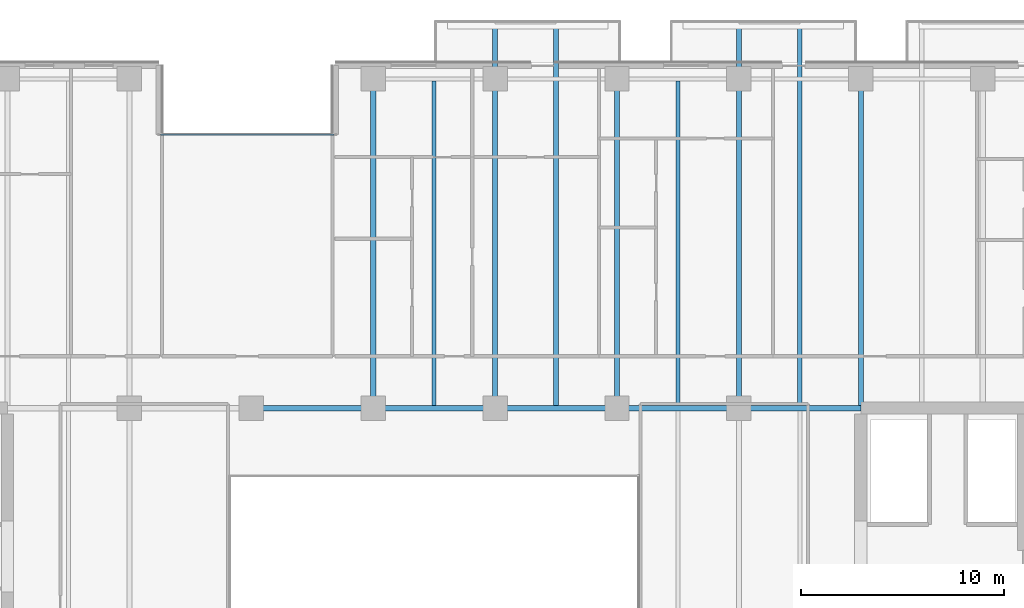
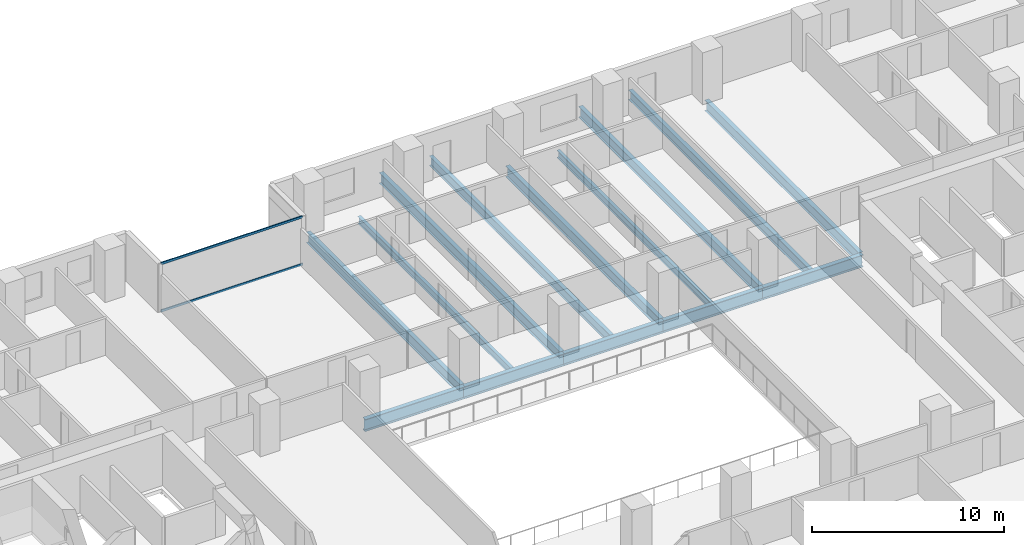
# One storey, part 10 of 33: 14 beams, 2 members, 1 element without a shape of its own.
"""IFC4 building model written with IfcOpenShell, lengths in metres."""

import ifcopenshell
import ifcopenshell.guid

model = None  # the IFC model being written
_history = None  # IfcOwnerHistory: only IFC2X3 demands one
_inside = {}  # id of a spatial element -> (the spatial element, [elements in it])
_under = {}  # id of a project, library or spatial element -> (it, [spatial elements below it])
_declared = {}  # id of a project -> (the project, [libraries it declares])
_typed = {}  # id of a type object -> (the type object, [elements of that type])
_made_of = {}  # id of a material, layer set ... -> (it, [elements and type objects made of it])


def new_model(schema):
    """Start an empty IFC model of exactly this schema.

    Asked for "IFC4X3", IfcOpenShell would pick the latest addendum, in which some entities
    have other attributes; the version numbers below select the first issue.
    IFC2X3 requires an IfcOwnerHistory on every rooted entity: one is made here for all.
    """
    global model, _history
    if schema == "IFC4X3":
        model = ifcopenshell.file(schema_version=(4, 3, 0, 0))
    else:
        model = ifcopenshell.file(schema=schema)
    _inside.clear()
    _under.clear()
    _declared.clear()
    _typed.clear()
    _made_of.clear()
    _history = None
    if model.schema == "IFC2X3":
        org = make("IfcOrganization", Name="unknown")
        user = make(
            "IfcPersonAndOrganization",
            ThePerson=make("IfcPerson", FamilyName="unknown"),
            TheOrganization=org,
        )
        app = make(
            "IfcApplication",
            ApplicationDeveloper=org,
            Version="unknown",
            ApplicationFullName="unknown",
            ApplicationIdentifier="unknown",
        )
        _history = make(
            "IfcOwnerHistory",
            OwningUser=user,
            OwningApplication=app,
            ChangeAction="ADDED",
            CreationDate=0,
        )
    return model


def make(cls, **values):
    """One entity of the class cls with the attributes given. An attribute that is None is left unset."""
    return model.create_entity(
        cls, **{name: value for name, value in values.items() if value is not None}
    )


def rooted(cls, **values):
    """An entity with a GlobalId (a new one), such as an element, a storey or a relation."""
    return make(cls, GlobalId=ifcopenshell.guid.new(), OwnerHistory=_history, **values)


def si_unit(unit_type, name, prefix=None):
    """IfcSIUnit, for example si_unit("LENGTHUNIT", "METRE", prefix="MILLI")."""
    return make("IfcSIUnit", UnitType=unit_type, Prefix=prefix, Name=name)


def assignment(units):
    """IfcUnitAssignment: the units of a project."""
    return None if units is None else make("IfcUnitAssignment", Units=units)


def point(xyz):
    """IfcCartesianPoint."""
    return None if xyz is None else make("IfcCartesianPoint", Coordinates=xyz)


def direction(xyz):
    """IfcDirection."""
    return None if xyz is None else make("IfcDirection", DirectionRatios=xyz)


def frame(location, z_axis=None, x_axis=None):
    """IfcAxis2Placement3D, a coordinate frame: its origin and axes. An axis left out is left unset."""
    return make(
        "IfcAxis2Placement3D",
        Location=point(location),
        Axis=direction(z_axis),
        RefDirection=direction(x_axis),
    )


def frame_2d(location, x_axis=None):
    """IfcAxis2Placement2D, a coordinate frame in the plane: its origin and x axis."""
    return make(
        "IfcAxis2Placement2D", Location=point(location), RefDirection=direction(x_axis)
    )


def origin():
    """The frame at (0, 0, 0) with its axes left unset."""
    return frame((0.0, 0.0, 0.0))


def origin_2d():
    """The frame at (0, 0) in the plane with its x axis left unset."""
    return frame_2d((0.0, 0.0))


def place(relative_to, where):
    """IfcLocalPlacement: puts the frame where relative to a parent placement (None: the world)."""
    return make(
        "IfcLocalPlacement", PlacementRelTo=relative_to, RelativePlacement=where
    )


def context(
    kind, dimensions, precision=None, world=None, true_north=None, identifier=None
):
    """IfcGeometricRepresentationContext, for example the 3D "Model" context."""
    return make(
        "IfcGeometricRepresentationContext",
        ContextIdentifier=identifier,
        ContextType=kind,
        CoordinateSpaceDimension=dimensions,
        Precision=precision,
        WorldCoordinateSystem=world,
        TrueNorth=true_north,
    )


def subcontext(parent, identifier, kind, view, scale=None):
    """IfcGeometricRepresentationSubContext, for example "Body" below "Model"."""
    return make(
        "IfcGeometricRepresentationSubContext",
        ContextIdentifier=identifier,
        ContextType=kind,
        ParentContext=parent,
        TargetScale=scale,
        TargetView=view,
    )


def project(units=None, contexts=None):
    """IfcProject with its units and contexts."""
    return rooted(
        "IfcProject",
        Name="project",
        RepresentationContexts=contexts,
        UnitsInContext=assignment(units),
    )


def spatial(cls, under=None, at=None, **own):
    """A site, building, storey or space (cls), placed at a placement, below another one or the project."""
    s = rooted(cls, ObjectPlacement=at, **own)
    if under is not None:
        _under.setdefault(under.id(), (under, []))[1].append(s)
    return s


def profile(cls, at=None, kind="AREA", **sizes):
    """A parametric profile (cls). Its sizes go by their IFC names, for example OverallWidth=200.0."""
    return make(cls, ProfileType=kind, Position=at, **sizes)


def hollow_rectangle(**sizes):
    """IfcRectangleHollowProfileDef."""
    return profile("IfcRectangleHollowProfileDef", **sizes)


def i_section(**sizes):
    """IfcIShapeProfileDef."""
    return profile("IfcIShapeProfileDef", **sizes)


def extrude(swept, where, along, depth):
    """IfcExtrudedAreaSolid: the profile swept, set in the frame where, extruded along a direction by depth."""
    return make(
        "IfcExtrudedAreaSolid",
        SweptArea=swept,
        Position=where,
        ExtrudedDirection=direction(along),
        Depth=depth,
    )


def shape(context_of_items, identifier, shape_type, items):
    """IfcShapeRepresentation: the items that make up one representation, for example the "Body"."""
    return make(
        "IfcShapeRepresentation",
        ContextOfItems=context_of_items,
        RepresentationIdentifier=identifier,
        RepresentationType=shape_type,
        Items=items,
    )


def material(Name=None, Category=None):
    """IfcMaterial."""
    return make("IfcMaterial", Name=Name, Category=Category)


def layer(
    of_material, thickness, ventilated=None, Name=None, Category=None, Priority=None
):
    """IfcMaterialLayer: one layer of a wall or slab, of a material (None: an air gap)."""
    return make(
        "IfcMaterialLayer",
        Material=of_material,
        LayerThickness=thickness,
        IsVentilated=ventilated,
        Name=Name,
        Category=Category,
        Priority=Priority,
    )


def layer_set(layers, Name=None):
    """IfcMaterialLayerSet."""
    return make("IfcMaterialLayerSet", MaterialLayers=layers, LayerSetName=Name)


def material_profile(
    of_material, cross_section, Name=None, Category=None, Priority=None
):
    """IfcMaterialProfile: a cross section and its material."""
    return make(
        "IfcMaterialProfile",
        Name=Name,
        Material=of_material,
        Profile=cross_section,
        Priority=Priority,
        Category=Category,
    )


def profile_set(profiles, Name=None, composite=None):
    """IfcMaterialProfileSet."""
    return make(
        "IfcMaterialProfileSet",
        Name=Name,
        MaterialProfiles=profiles,
        CompositeProfile=composite,
    )


def made_of(thing, what):
    """Note that an element or type object is made of a material, layer set ...; save() writes the relation."""
    if what is not None:
        _made_of.setdefault(what.id(), (what, []))[1].append(thing)
    return thing


def type_object(cls, material=None, **own):
    """A type object (cls), such as IfcWallType, which elements share."""
    return made_of(rooted(cls, **own), material)


def element(
    cls,
    number,
    at=None,
    inside=None,
    cuts=None,
    type_object=None,
    material=None,
    context=None,
    identifier="Body",
    shape_type=None,
    held_by="IfcProductDefinitionShape",
    body=None,
    shapes=None,
    **own,
):
    """One element of the class cls, such as IfcWall. Its Tag is "e" and its number.

    at: its placement. inside: the storey or other place that contains it. cuts: it is an
    opening in that element (IfcRelVoidsElement). A single representation is given by context,
    identifier, shape_type and body (its items); several are given by shapes. held_by: the class
    of the entity that holds the representations. save() writes the other relations.
    """
    e = rooted(cls, Tag="e%d" % number, ObjectPlacement=at, **own)
    if body is not None:
        shapes = [shape(context, identifier, shape_type, body)]
    if shapes is not None:
        e.Representation = make(held_by, Representations=shapes)
    if inside is not None:
        _inside.setdefault(inside.id(), (inside, []))[1].append(e)
    if cuts is not None:
        rooted(
            "IfcRelVoidsElement", RelatingBuildingElement=cuts, RelatedOpeningElement=e
        )
    if type_object is not None:
        _typed.setdefault(type_object.id(), (type_object, []))[1].append(e)
    return made_of(e, material)


def aggregate(whole, parts):
    """IfcRelAggregates: a whole, such as a stair, and the parts it consists of."""
    return rooted("IfcRelAggregates", RelatingObject=whole, RelatedObjects=parts)


def save(model, path):
    """Write the relations noted so far, then the file.

    IfcRelAggregates (storeys below a building ...), IfcRelContainedInSpatialStructure (elements
    in a storey), IfcRelDefinesByType, IfcRelAssociatesMaterial and IfcRelDeclares: one each for
    every whole, place, type object, material and project.
    """
    for whole, parts in _under.values():
        aggregate(whole, parts)
    for where, things in _inside.values():
        rooted(
            "IfcRelContainedInSpatialStructure",
            RelatedElements=things,
            RelatingStructure=where,
        )
    for kind, things in _typed.values():
        rooted("IfcRelDefinesByType", RelatedObjects=things, RelatingType=kind)
    for what, things in _made_of.values():
        rooted("IfcRelAssociatesMaterial", RelatedObjects=things, RelatingMaterial=what)
    for by, libraries in _declared.values():
        rooted("IfcRelDeclares", RelatingContext=by, RelatedDefinitions=libraries)
    model.write(path)


model = new_model("IFC4")

# Units and contexts
model_context = context("Model", 3, precision=1e-05, world=origin(), true_north=direction((0.0, 1.0)))
body_context = subcontext(model_context, "Body", "Model", "MODEL_VIEW")
ifc_project = project(units=[si_unit("LENGTHUNIT", "METRE"), si_unit("AREAUNIT", "SQUARE_METRE"), si_unit("VOLUMEUNIT", "CUBIC_METRE"), si_unit("PLANEANGLEUNIT", "RADIAN"), si_unit("MASSUNIT", "GRAM", prefix="KILO")], contexts=[model_context])

# Site, building, storey
site_placement = place(None, origin())
site = spatial("IfcSite", under=ifc_project, at=site_placement, CompositionType="ELEMENT")
building_placement = place(site_placement, origin())
building = spatial("IfcBuilding", under=site, at=building_placement, Name="Tanjung Sevakor Pilgrim Tower", CompositionType="ELEMENT")
storey_placement = place(building_placement, frame((0.0, 0.0, 38.93994140625)))
storey = spatial("IfcBuildingStorey", under=building, at=storey_placement, Name="L10", CompositionType="ELEMENT", Elevation=38.93994140625)

# Beams
ifc_material_1 = material(Name="Steel S355J2", Category="steel")
ifc_material_profile_1 = material_profile(ifc_material_1, i_section(OverallWidth=0.26806640625, OverallDepth=0.769775390625, WebThickness=0.015625, FlangeThickness=0.025390625, FilletRadius=0.0166015625, at=origin_2d()))
ifc_profile_set_1 = profile_set([ifc_material_profile_1], Name="Steel S355J2")
beam_type_1 = type_object("IfcBeamType", Name="BM-B-G1-UB_762x267x197", PredefinedType="BEAM", material=ifc_profile_set_1)
for number, where, z_axis, x_axis, name in (
    (1, (48.0, 42.60009765625, -0.604736328125), (1.0, 0.0, 0.0), (0.0, 1.0, 0.0), "L10 Primary Floor Girder MAIN Y426-04"),
    (2, (54.0, 42.60009765625, -0.604736328125), (1.0, 0.0, 0.0), (0.0, 1.0, 0.0), "L10 Primary Floor Girder MAIN Y426-05"),
    (3, (60.0, 42.60009765625, -0.604736328125), (1.0, 0.0, 0.0), (0.0, 1.0, 0.0), "L10 Primary Floor Girder MAIN Y426-06"),
    (4, (66.0, 42.60009765625, -0.604736328125), (1.0, 0.0, 0.0), (0.0, 1.0, 0.0), "L10 Primary Floor Girder MAIN Y426-07"),
    (5, (72.0, 42.60009765625, -0.604736328125), (1.0, 0.0, 0.0), (0.0, 1.0, 0.0), "L10 Primary Floor Girder MAIN Y426-08"),
):
    element("IfcBeam", number, at=place(storey_placement, frame(where, z_axis=z_axis, x_axis=x_axis)), inside=storey, type_object=beam_type_1, Name=name, PredefinedType="BEAM", context=body_context, shape_type="SweptSolid", body=[
        extrude(i_section(OverallWidth=0.26806640625, OverallDepth=0.769775390625, WebThickness=0.015625, FlangeThickness=0.025390625, FilletRadius=0.0166015625, at=origin_2d()), origin(), (0.0, 0.0, 1.0), 6.0),
    ])
ifc_material_2 = material(Name="Steel S355J2", Category="steel")
ifc_material_profile_2 = material_profile(ifc_material_2, i_section(OverallWidth=0.25439453125, OverallDepth=0.6875, WebThickness=0.01318359375, FlangeThickness=0.02099609375, FilletRadius=0.01513671875, at=origin_2d()))
ifc_profile_set_2 = profile_set([ifc_material_profile_2], Name="Steel S355J2")
beam_type_2 = type_object("IfcBeamType", Name="BM-B-G2-UB_686x254x152", PredefinedType="BEAM", material=ifc_profile_set_2)
beam_1_placement = place(storey_placement, frame((54.0, 42.60009765625, -0.563720703125), z_axis=(0.0, 1.0, 0.0), x_axis=(-1.0, 0.0, 0.0)))
element("IfcBeam", 6, at=beam_1_placement, inside=storey, type_object=beam_type_2, Name="L10 MAIN Girder 014", PredefinedType="BEAM", context=body_context, shape_type="SweptSolid", body=[
    extrude(i_section(OverallWidth=0.25439453125, OverallDepth=0.6875, WebThickness=0.01318359375, FlangeThickness=0.02099609375, FilletRadius=0.01513671875, at=origin_2d()), origin(), (0.0, 0.0, 1.0), 16.199951171875),
])
beam_2_placement = place(storey_placement, frame((60.0, 42.60009765625, -0.563720703125), z_axis=(0.0, 1.0, 0.0), x_axis=(-1.0, 0.0, 0.0)))
element("IfcBeam", 7, at=beam_2_placement, inside=storey, type_object=beam_type_2, Name="L10 Balcony Cantilever Beam MAIN-N2-1", PredefinedType="BEAM", context=body_context, shape_type="SweptSolid", body=[
    extrude(i_section(OverallWidth=0.25439453125, OverallDepth=0.6875, WebThickness=0.01318359375, FlangeThickness=0.02099609375, FilletRadius=0.01513671875, at=origin_2d()), origin(), (0.0, 0.0, 1.0), 18.97998046875),
])
beam_3_placement = place(storey_placement, frame((66.0, 42.60009765625, -0.563720703125), z_axis=(0.0, 1.0, 0.0), x_axis=(-1.0, 0.0, 0.0)))
element("IfcBeam", 8, at=beam_3_placement, inside=storey, type_object=beam_type_2, Name="L10 MAIN Girder 018", PredefinedType="BEAM", context=body_context, shape_type="SweptSolid", body=[
    extrude(i_section(OverallWidth=0.25439453125, OverallDepth=0.6875, WebThickness=0.01318359375, FlangeThickness=0.02099609375, FilletRadius=0.01513671875, at=origin_2d()), origin(), (0.0, 0.0, 1.0), 16.199951171875),
])
beam_4_placement = place(storey_placement, frame((72.0, 42.60009765625, -0.563720703125), z_axis=(0.0, 1.0, 0.0), x_axis=(-1.0, 0.0, 0.0)))
element("IfcBeam", 9, at=beam_4_placement, inside=storey, type_object=beam_type_2, Name="L10 Balcony Cantilever Beam MAIN-N3-1", PredefinedType="BEAM", context=body_context, shape_type="SweptSolid", body=[
    extrude(i_section(OverallWidth=0.25439453125, OverallDepth=0.6875, WebThickness=0.01318359375, FlangeThickness=0.02099609375, FilletRadius=0.01513671875, at=origin_2d()), origin(), (0.0, 0.0, 1.0), 18.97998046875),
])
beam_5_placement = place(storey_placement, frame((78.0, 42.73388671875, -0.563720703125), z_axis=(0.0, 1.0, 0.0), x_axis=(-1.0, 0.0, 0.0)))
element("IfcBeam", 10, at=beam_5_placement, inside=storey, type_object=beam_type_2, Name="L10 MAIN Girder 025", PredefinedType="BEAM", context=body_context, shape_type="SweptSolid", body=[
    extrude(i_section(OverallWidth=0.25439453125, OverallDepth=0.6875, WebThickness=0.01318359375, FlangeThickness=0.02099609375, FilletRadius=0.01513671875, at=origin_2d()), origin(), (0.0, 0.0, 1.0), 16.066162109375),
])
ifc_material_3 = material(Name="Steel S355J2", Category="steel")
ifc_material_profile_3 = material_profile(ifc_material_3, i_section(OverallWidth=0.22900390625, OverallDepth=0.6123046875, WebThickness=0.011962890625, FlangeThickness=0.01953125, FilletRadius=0.0126953125, at=origin_2d()))
ifc_profile_set_3 = profile_set([ifc_material_profile_3], Name="Steel S355J2")
beam_type_3 = type_object("IfcBeamType", Name="BM-B-G4-UB_610x229x125", PredefinedType="BEAM", material=ifc_profile_set_3)
for number, where, z_axis, x_axis, name in (
    (11, (63.0, 42.73388671875, -0.526123046875), (0.0, 1.0, 0.0), (-1.0, 0.0, 0.0), "L10 Balcony Cantilever Beam MAIN-N2-2"),
    (12, (75.0, 42.73388671875, -0.526123046875), (0.0, 1.0, 0.0), (-1.0, 0.0, 0.0), "L10 Balcony Cantilever Beam MAIN-N3-2"),
):
    element("IfcBeam", number, at=place(storey_placement, frame(where, z_axis=z_axis, x_axis=x_axis)), inside=storey, type_object=beam_type_3, Name=name, PredefinedType="BEAM", context=body_context, shape_type="SweptSolid", body=[
        extrude(i_section(OverallWidth=0.22900390625, OverallDepth=0.6123046875, WebThickness=0.011962890625, FlangeThickness=0.01953125, FilletRadius=0.0126953125, at=origin_2d()), origin(), (0.0, 0.0, 1.0), 18.84619140625),
    ])
ifc_material_4 = material(Name="Steel S355J2", Category="steel")
ifc_material_profile_4 = material_profile(ifc_material_4, i_section(OverallWidth=0.19140625, OverallDepth=0.4599609375, WebThickness=0.010009765625, FlangeThickness=0.01611328125, FilletRadius=0.01025390625, at=origin_2d()))
ifc_profile_set_4 = profile_set([ifc_material_profile_4], Name="Steel S355J2")
beam_type_4 = type_object("IfcBeamType", Name="BM-B-J2-UB_457x191x82", PredefinedType="JOIST", material=ifc_profile_set_4)
for number, where, z_axis, x_axis, name in (
    (13, (57.0, 42.73388671875, -0.449951171875), (0.0, 1.0, 0.0), (-1.0, 0.0, 0.0), "L10 MAIN Joist 016"),
    (14, (69.0, 42.73388671875, -0.449951171875), (0.0, 1.0, 0.0), (-1.0, 0.0, 0.0), "L10 MAIN Joist 021"),
):
    element("IfcBeam", number, at=place(storey_placement, frame(where, z_axis=z_axis, x_axis=x_axis)), inside=storey, type_object=beam_type_4, Name=name, PredefinedType="JOIST", context=body_context, shape_type="SweptSolid", body=[
        extrude(i_section(OverallWidth=0.19140625, OverallDepth=0.4599609375, WebThickness=0.010009765625, FlangeThickness=0.01611328125, FilletRadius=0.01025390625, at=origin_2d()), origin(), (0.0, 0.0, 1.0), 15.966064453125),
    ])

# Curtain wall, members
ifc_material_5 = material(Name="Aluminium 6063-T6 and Low-E Glass", Category="aluminium")
ifc_layer = layer(ifc_material_5, 0.179931640625)
ifc_layer_set = layer_set([ifc_layer], Name="CW-SYS-CLEFT")
curtain_wall_type = type_object("IfcCurtainWallType", Name="CW-SYS-CLEFT", PredefinedType="NOTDEFINED", material=ifc_layer_set)
curtain_wall_placement = place(storey_placement, origin())
curtain_wall = element("IfcCurtainWall", 15, at=curtain_wall_placement, inside=storey, type_object=curtain_wall_type, Name="L10 Curtain Wall CW-CLF-L10-10", PredefinedType="NOTDEFINED")
ifc_material_6 = material(Name="Aluminium 6063-T6", Category="aluminium")
ifc_material_profile_5 = material_profile(ifc_material_6, hollow_rectangle(XDim=0.06494140625, YDim=0.139892578125, WallThickness=0.00390625, at=origin_2d()))
ifc_profile_set_5 = profile_set([ifc_material_profile_5], Name="Aluminium 6063-T6")
member_type = type_object("IfcMemberType", Name="TYPE-CWT-1", PredefinedType="USERDEFINED", material=ifc_profile_set_5)
member_1_placement = place(storey_placement, frame((52.06494140625, 56.06005859375, 0.032470703125), z_axis=(-1.0, 0.0, 0.0), x_axis=(0.0, -1.0, 0.0)))
member_1 = element("IfcMember", 16, at=member_1_placement, type_object=member_type, Name="CW-CLF transom 1.1", ObjectType="TRANSOM", PredefinedType="USERDEFINED", context=body_context, shape_type="SweptSolid", body=[
    extrude(hollow_rectangle(XDim=0.06494140625, YDim=0.139892578125, WallThickness=0.00390625, at=origin_2d()), origin(), (0.0, 0.0, 1.0), 8.530029296875),
])
member_2_placement = place(storey_placement, frame((52.06494140625, 56.06005859375, 3.047607421875), z_axis=(-1.0, 0.0, 0.0), x_axis=(0.0, -1.0, 0.0)))
member_2 = element("IfcMember", 17, at=member_2_placement, type_object=member_type, Name="CW-CLF transom 1.2", ObjectType="TRANSOM", PredefinedType="USERDEFINED", context=body_context, shape_type="SweptSolid", body=[
    extrude(hollow_rectangle(XDim=0.06494140625, YDim=0.139892578125, WallThickness=0.00390625, at=origin_2d()), origin(), (0.0, 0.0, 1.0), 8.530029296875),
])
aggregate(curtain_wall, [member_1, member_2])

save(model, "model.ifc")
